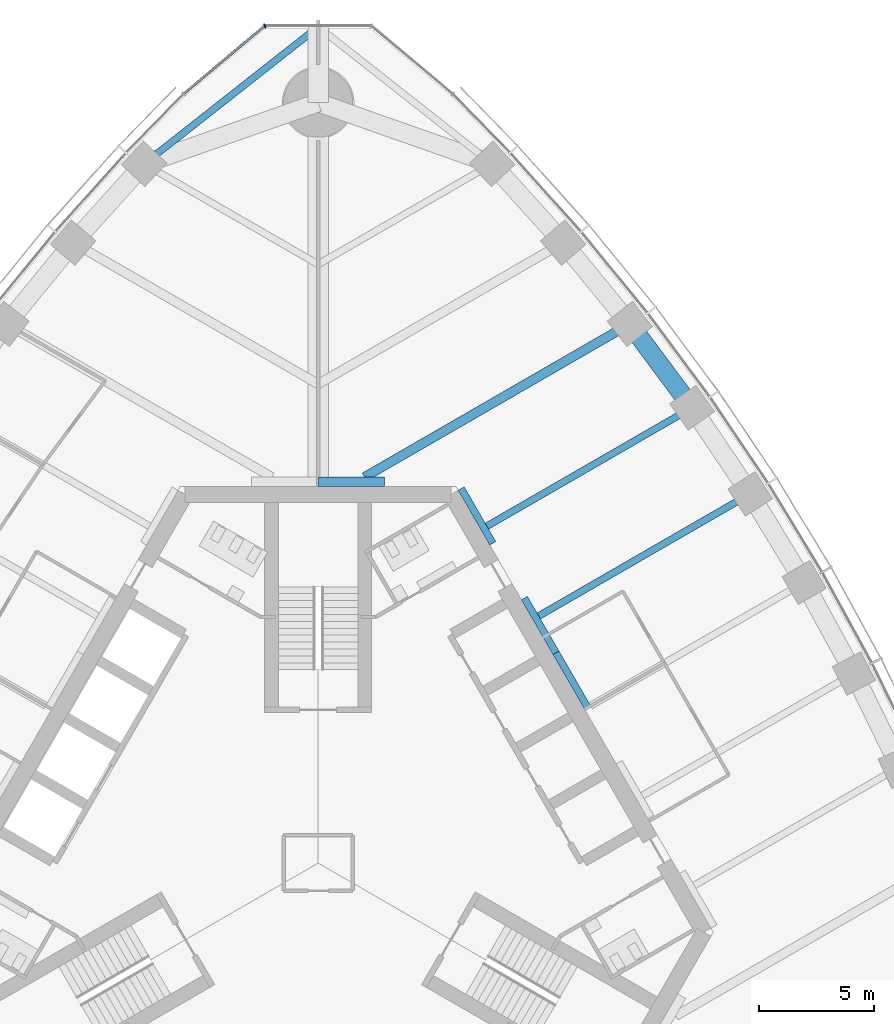
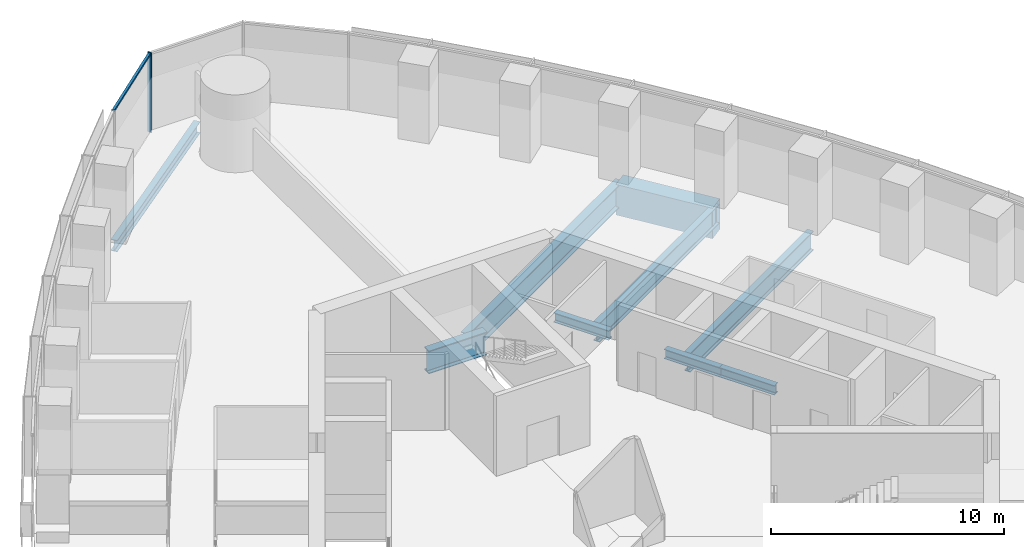
# One storey, part 6 of 19: 9 beams, 2 members, 1 element without a shape of its own.
"""IFC4 building model written with IfcOpenShell, lengths in metres."""

from ifc_helpers import new_model, si_unit, direction, frame, origin, origin_2d, place, context, subcontext, project, spatial, rectangle, i_section, extrude, material, material_profile, profile_set, type_object, element, aggregate, save


model = new_model("IFC4")

# Units and contexts
model_context = context("Model", 3, precision=1e-05, world=origin(), true_north=direction((0.0, 1.0)))
body_context = subcontext(model_context, "Body", "Model", "MODEL_VIEW")
ifc_project = project(units=[si_unit("LENGTHUNIT", "METRE"), si_unit("AREAUNIT", "SQUARE_METRE"), si_unit("VOLUMEUNIT", "CUBIC_METRE"), si_unit("PLANEANGLEUNIT", "RADIAN"), si_unit("MASSUNIT", "GRAM", prefix="KILO")], contexts=[model_context])

# Site, building, storey
site_placement = place(None, origin())
site = spatial("IfcSite", under=ifc_project, at=site_placement, CompositionType="ELEMENT")
building_placement = place(site_placement, origin())
building = spatial("IfcBuilding", under=site, at=building_placement, Name="Trefoil Bronze Tower", CompositionType="ELEMENT")
storey_placement = place(building_placement, frame((0.0, 0.0, 248.5)))
storey = spatial("IfcBuildingStorey", under=building, at=storey_placement, Name="L57", CompositionType="ELEMENT", Elevation=248.5)

# Curtain wall, members
ifc_material_1 = material(Name="Tinted solar-control glass", Category="glass")
curtain_wall_type = type_object("IfcCurtainWallType", Name="Bronze rounded corner curtain wall", PredefinedType="USERDEFINED", material=ifc_material_1)
curtain_wall_placement = place(storey_placement, origin())
curtain_wall = element("IfcCurtainWall", 1, at=curtain_wall_placement, inside=storey, type_object=curtain_wall_type, Name="CW-B L57 K2", ObjectType="CURTAIN WALL", PredefinedType="USERDEFINED")
ifc_material_2 = material(Name="Bronze-finish aluminium", Category="aluminium")
ifc_material_profile_1 = material_profile(ifc_material_2, rectangle(XDim=0.199951171875, YDim=0.06005859375, at=origin_2d()), Name="CW-B mullion")
ifc_profile_set_1 = profile_set([ifc_material_profile_1], Name="Bronze-finish aluminium")
member_type_1 = type_object("IfcMemberType", Name="Bronze rounded corner curtain wall mullion", PredefinedType="MULLION", material=ifc_profile_set_1)
member_1_placement = place(storey_placement, frame((-2.314453125, 36.326416015625, 0.0), z_axis=(0.0, 0.0, 1.0), x_axis=(0.342020143326, -0.939692620786, 0.0)))
member_1 = element("IfcMember", 2, at=member_1_placement, type_object=member_type_1, Name="CW-B L57 K2 mullion 3", PredefinedType="MULLION", context=body_context, shape_type="SweptSolid", body=[
    extrude(rectangle(XDim=0.199951171875, YDim=0.06005859375, at=origin_2d()), origin(), (0.0, 0.0, 1.0), 4.179931640625),
])
ifc_material_3 = material(Name="Bronze-finish aluminium", Category="aluminium")
ifc_material_profile_2 = material_profile(ifc_material_3, rectangle(XDim=0.1201171875, YDim=0.10009765625, at=origin_2d()), Name="CW-B transom")
ifc_profile_set_2 = profile_set([ifc_material_profile_2], Name="Bronze-finish aluminium")
member_type_2 = type_object("IfcMemberType", Name="Bronze rounded corner curtain wall transom", PredefinedType="USERDEFINED", material=ifc_profile_set_2)
member_2_placement = place(storey_placement, frame((-2.367431640625, 36.289794921875, 4.1298828125), z_axis=(-0.766046761698, -0.642784846501, 0.0), x_axis=(0.642784846501, -0.766046761698, 0.0)))
member_2 = element("IfcMember", 3, at=member_2_placement, type_object=member_type_2, Name="CW-B L57 K2 transom 3", ObjectType="TRANSOM", PredefinedType="USERDEFINED", context=body_context, shape_type="SweptSolid", body=[
    extrude(rectangle(XDim=0.1201171875, YDim=0.10009765625, at=origin_2d()), origin(), (0.0, 0.0, 1.0), 4.5),
])
aggregate(curtain_wall, [member_1, member_2])

# Beams
ifc_material_4 = material(Name="Steel C355", Category="steel")
ifc_material_profile_3 = material_profile(ifc_material_4, i_section(OverallWidth=0.300048828125, OverallDepth=0.5, WebThickness=0.014404296875, FlangeThickness=0.028076171875, FilletRadius=0.027099609375, at=origin_2d()), Name="HEB 500")
ifc_profile_set_3 = profile_set([ifc_material_profile_3], Name="Steel C355")
beam_type_1 = type_object("IfcBeamType", Name="Core seat beam HEB 500", PredefinedType="BEAM", material=ifc_profile_set_3)
for number, where, z_axis, x_axis, name in (
    (4, (11.69140625, 6.75, -0.449951171875), (-0.500035825175, 0.866004719122, 0.0), (-0.866004719122, -0.500035825175, 0.0), "Core seat beam F2/+0 L57"),
    (5, (10.320068359375, 9.125, -0.449951171875), (-0.499969057507, 0.866043267704, 0.0), (-0.866043267704, -0.499969057507, 0.0), "Core seat beam F2/+1 L57"),
    (6, (7.57763671875, 13.875, -0.449951171875), (-0.499969057507, 0.866043267704, 0.0), (-0.866043267704, -0.499969057507, 0.0), "Core seat beam F2/+2 L57"),
):
    element("IfcBeam", number, at=place(storey_placement, frame(where, z_axis=z_axis, x_axis=x_axis)), inside=storey, type_object=beam_type_1, Name=name, PredefinedType="BEAM", context=body_context, shape_type="SweptSolid", body=[
        extrude(i_section(OverallWidth=0.300048828125, OverallDepth=0.5, WebThickness=0.014404296875, FlangeThickness=0.028076171875, FilletRadius=0.027099609375, at=origin_2d()), origin(), (0.0, 0.0, 1.0), 2.742431640625),
    ])
ifc_material_5 = material(Name="Steel C355", Category="steel")
ifc_material_profile_4 = material_profile(ifc_material_5, i_section(OverallWidth=0.39990234375, OverallDepth=1.199951171875, WebThickness=0.02001953125, FlangeThickness=0.0400390625, FilletRadius=0.010009765625, at=origin_2d()), Name="WPG 1200")
ifc_profile_set_4 = profile_set([ifc_material_profile_4], Name="Steel C355")
beam_type_2 = type_object("IfcBeamType", Name="Core seat beam WPG 1200", PredefinedType="BEAM", material=ifc_profile_set_4)
beam_1_placement = place(storey_placement, frame((2.88671875, 16.550048828125, -0.800048828125), z_axis=(-1.0, 0.0, 0.0), x_axis=(0.0, -1.0, 0.0)))
element("IfcBeam", 7, at=beam_1_placement, inside=storey, type_object=beam_type_2, Name="Core seat beam F2/+3 L57", PredefinedType="BEAM", context=body_context, shape_type="SweptSolid", body=[
    extrude(i_section(OverallWidth=0.39990234375, OverallDepth=1.199951171875, WebThickness=0.02001953125, FlangeThickness=0.0400390625, FilletRadius=0.010009765625, at=origin_2d()), origin(), (0.0, 0.0, 1.0), 2.88671875),
])
ifc_material_6 = material(Name="Steel C355", Category="steel")
ifc_material_profile_5 = material_profile(ifc_material_6, i_section(OverallWidth=0.300048828125, OverallDepth=0.60009765625, WebThickness=0.015380859375, FlangeThickness=0.030029296875, FilletRadius=0.027099609375, at=origin_2d()), Name="HEB 600")
ifc_profile_set_5 = profile_set([ifc_material_profile_5], Name="Steel C355")
beam_type_3 = type_object("IfcBeamType", Name="Corner edge beam HEB 600", PredefinedType="BEAM", material=ifc_profile_set_5)
beam_2_placement = place(storey_placement, frame((-7.552001953125, 30.3408203125, -0.5), z_axis=(0.785805912008, 0.618473175371, 0.0), x_axis=(-0.618473175371, 0.785805912008, 0.0)))
element("IfcBeam", 8, at=beam_2_placement, inside=storey, type_object=beam_type_3, Name="Corner edge beam F3B L57", PredefinedType="BEAM", context=body_context, shape_type="SweptSolid", body=[
    extrude(i_section(OverallWidth=0.300048828125, OverallDepth=0.60009765625, WebThickness=0.015380859375, FlangeThickness=0.030029296875, FilletRadius=0.027099609375, at=origin_2d()), origin(), (0.0, 0.0, 1.0), 9.610595703125),
])
ifc_material_7 = material(Name="Steel C355", Category="steel")
ifc_material_profile_6 = material_profile(ifc_material_7, i_section(OverallWidth=0.300048828125, OverallDepth=1.0, WebThickness=0.01904296875, FlangeThickness=0.035888671875, FilletRadius=0.030029296875, at=origin_2d()), Name="HEB 1000")
ifc_profile_set_6 = profile_set([ifc_material_profile_6], Name="Steel C355")
beam_type_4 = type_object("IfcBeamType", Name="Floor beam HEB 1000", PredefinedType="BEAM", material=ifc_profile_set_6)
beam_3_placement = place(storey_placement, frame((16.2265625, 19.7607421875, -0.699951171875), z_axis=(-0.866019527493, -0.500010177898, 0.0), x_axis=(0.500010177898, -0.866019527493, 0.0)))
element("IfcBeam", 9, at=beam_3_placement, inside=storey, type_object=beam_type_4, Name="Floor beam F2/+2 L57", PredefinedType="BEAM", context=body_context, shape_type="SweptSolid", body=[
    extrude(i_section(OverallWidth=0.300048828125, OverallDepth=1.0, WebThickness=0.01904296875, FlangeThickness=0.035888671875, FilletRadius=0.030029296875, at=origin_2d()), origin(), (0.0, 0.0, 1.0), 10.282958984375),
])
ifc_material_8 = material(Name="Steel C355", Category="steel")
ifc_material_profile_7 = material_profile(ifc_material_8, i_section(OverallWidth=0.302001953125, OverallDepth=1.008056640625, WebThickness=0.02099609375, FlangeThickness=0.0400390625, FilletRadius=0.030029296875, at=origin_2d()), Name="HEM 1000")
ifc_profile_set_7 = profile_set([ifc_material_profile_7], Name="Steel C355")
beam_type_5 = type_object("IfcBeamType", Name="Floor beam HEM 1000", PredefinedType="BEAM", material=ifc_profile_set_7)
beam_4_placement = place(storey_placement, frame((18.748046875, 16.020263671875, -0.7041015625), z_axis=(-0.86602981261, -0.499992363612, 0.0), x_axis=(0.499992363612, -0.86602981261, 0.0)))
element("IfcBeam", 10, at=beam_4_placement, inside=storey, type_object=beam_type_5, Name="Floor beam F2/+1 L57", PredefinedType="BEAM", context=body_context, shape_type="SweptSolid", body=[
    extrude(i_section(OverallWidth=0.302001953125, OverallDepth=1.008056640625, WebThickness=0.02099609375, FlangeThickness=0.0400390625, FilletRadius=0.030029296875, at=origin_2d()), origin(), (0.0, 0.0, 1.0), 10.596435546875),
])
ifc_material_9 = material(Name="Steel C355", Category="steel")
ifc_material_profile_8 = material_profile(ifc_material_9, i_section(OverallWidth=0.39990234375, OverallDepth=1.199951171875, WebThickness=0.02001953125, FlangeThickness=0.0400390625, FilletRadius=0.010009765625, at=origin_2d()), Name="WPG 1200")
ifc_profile_set_8 = profile_set([ifc_material_profile_8], Name="Steel C355")
beam_type_6 = type_object("IfcBeamType", Name="Floor beam WPG 1200", PredefinedType="BEAM", material=ifc_profile_set_8)
beam_5_placement = place(storey_placement, frame((13.522216796875, 23.3955078125, -0.800048828125), z_axis=(-0.866023461342, -0.500003364394, 0.0), x_axis=(0.500003364394, -0.866023461342, 0.0)))
element("IfcBeam", 11, at=beam_5_placement, inside=storey, type_object=beam_type_6, Name="Floor beam F2/+3 L57", PredefinedType="BEAM", context=body_context, shape_type="SweptSolid", body=[
    extrude(i_section(OverallWidth=0.39990234375, OverallDepth=1.199951171875, WebThickness=0.02001953125, FlangeThickness=0.0400390625, FilletRadius=0.010009765625, at=origin_2d()), origin(), (0.0, 0.0, 1.0), 13.291015625),
])
ifc_material_10 = material(Name="Concrete B80", Category="concrete")
ifc_material_profile_9 = material_profile(ifc_material_10, rectangle(XDim=0.800048828125, YDim=1.60009765625, at=origin_2d()), Name="RC 800x1600")
ifc_profile_set_9 = profile_set([ifc_material_profile_9], Name="Concrete B80")
beam_type_7 = type_object("IfcBeamType", Name="Spandrel beam RC 800x1600", PredefinedType="SPANDREL", material=ifc_profile_set_9)
beam_6_placement = place(storey_placement, frame((16.2265625, 19.7607421875, -1.0), z_axis=(-0.596926078257, 0.802296240236, 0.0), x_axis=(-0.802296240236, -0.596926078257, 0.0)))
element("IfcBeam", 12, at=beam_6_placement, inside=storey, type_object=beam_type_7, Name="Spandrel F2.9 L57", PredefinedType="SPANDREL", context=body_context, shape_type="SweptSolid", body=[
    extrude(rectangle(XDim=0.800048828125, YDim=1.60009765625, at=origin_2d()), origin(), (0.0, 0.0, 1.0), 4.530517578125),
])

save(model, "model.ifc")
